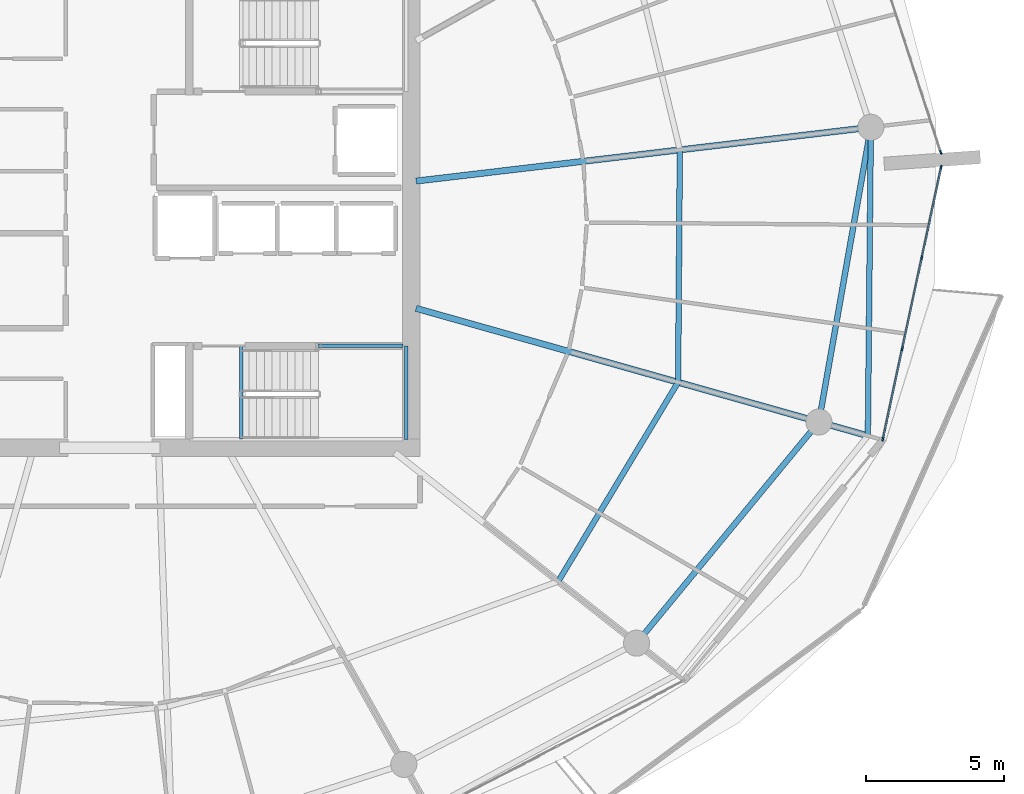
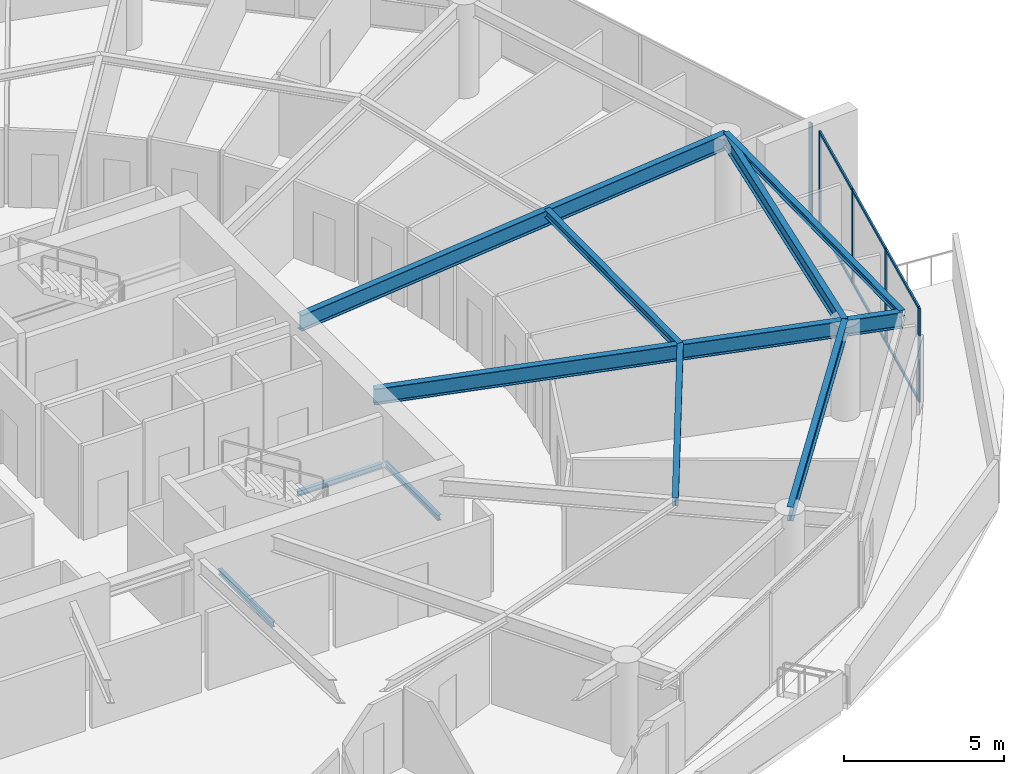
# One storey, part 11 of 31: 11 members, 10 beams, 2 elements without a shape of their own.
"""IFC4 building model written with IfcOpenShell, lengths in metres."""

import ifcopenshell
import ifcopenshell.guid

model = None  # the IFC model being written
_history = None  # IfcOwnerHistory: only IFC2X3 demands one
_inside = {}  # id of a spatial element -> (the spatial element, [elements in it])
_under = {}  # id of a project, library or spatial element -> (it, [spatial elements below it])
_declared = {}  # id of a project -> (the project, [libraries it declares])
_typed = {}  # id of a type object -> (the type object, [elements of that type])
_made_of = {}  # id of a material, layer set ... -> (it, [elements and type objects made of it])


def new_model(schema):
    """Start an empty IFC model of exactly this schema.

    Asked for "IFC4X3", IfcOpenShell would pick the latest addendum, in which some entities
    have other attributes; the version numbers below select the first issue.
    IFC2X3 requires an IfcOwnerHistory on every rooted entity: one is made here for all.
    """
    global model, _history
    if schema == "IFC4X3":
        model = ifcopenshell.file(schema_version=(4, 3, 0, 0))
    else:
        model = ifcopenshell.file(schema=schema)
    _inside.clear()
    _under.clear()
    _declared.clear()
    _typed.clear()
    _made_of.clear()
    _history = None
    if model.schema == "IFC2X3":
        org = make("IfcOrganization", Name="unknown")
        user = make(
            "IfcPersonAndOrganization",
            ThePerson=make("IfcPerson", FamilyName="unknown"),
            TheOrganization=org,
        )
        app = make(
            "IfcApplication",
            ApplicationDeveloper=org,
            Version="unknown",
            ApplicationFullName="unknown",
            ApplicationIdentifier="unknown",
        )
        _history = make(
            "IfcOwnerHistory",
            OwningUser=user,
            OwningApplication=app,
            ChangeAction="ADDED",
            CreationDate=0,
        )
    return model


def make(cls, **values):
    """One entity of the class cls with the attributes given. An attribute that is None is left unset."""
    return model.create_entity(
        cls, **{name: value for name, value in values.items() if value is not None}
    )


def rooted(cls, **values):
    """An entity with a GlobalId (a new one), such as an element, a storey or a relation."""
    return make(cls, GlobalId=ifcopenshell.guid.new(), OwnerHistory=_history, **values)


def si_unit(unit_type, name, prefix=None):
    """IfcSIUnit, for example si_unit("LENGTHUNIT", "METRE", prefix="MILLI")."""
    return make("IfcSIUnit", UnitType=unit_type, Prefix=prefix, Name=name)


def assignment(units):
    """IfcUnitAssignment: the units of a project."""
    return None if units is None else make("IfcUnitAssignment", Units=units)


def point(xyz):
    """IfcCartesianPoint."""
    return None if xyz is None else make("IfcCartesianPoint", Coordinates=xyz)


def direction(xyz):
    """IfcDirection."""
    return None if xyz is None else make("IfcDirection", DirectionRatios=xyz)


def frame(location, z_axis=None, x_axis=None):
    """IfcAxis2Placement3D, a coordinate frame: its origin and axes. An axis left out is left unset."""
    return make(
        "IfcAxis2Placement3D",
        Location=point(location),
        Axis=direction(z_axis),
        RefDirection=direction(x_axis),
    )


def frame_2d(location, x_axis=None):
    """IfcAxis2Placement2D, a coordinate frame in the plane: its origin and x axis."""
    return make(
        "IfcAxis2Placement2D", Location=point(location), RefDirection=direction(x_axis)
    )


def origin():
    """The frame at (0, 0, 0) with its axes left unset."""
    return frame((0.0, 0.0, 0.0))


def origin_2d():
    """The frame at (0, 0) in the plane with its x axis left unset."""
    return frame_2d((0.0, 0.0))


def place(relative_to, where):
    """IfcLocalPlacement: puts the frame where relative to a parent placement (None: the world)."""
    return make(
        "IfcLocalPlacement", PlacementRelTo=relative_to, RelativePlacement=where
    )


def context(
    kind, dimensions, precision=None, world=None, true_north=None, identifier=None
):
    """IfcGeometricRepresentationContext, for example the 3D "Model" context."""
    return make(
        "IfcGeometricRepresentationContext",
        ContextIdentifier=identifier,
        ContextType=kind,
        CoordinateSpaceDimension=dimensions,
        Precision=precision,
        WorldCoordinateSystem=world,
        TrueNorth=true_north,
    )


def subcontext(parent, identifier, kind, view, scale=None):
    """IfcGeometricRepresentationSubContext, for example "Body" below "Model"."""
    return make(
        "IfcGeometricRepresentationSubContext",
        ContextIdentifier=identifier,
        ContextType=kind,
        ParentContext=parent,
        TargetScale=scale,
        TargetView=view,
    )


def project(units=None, contexts=None):
    """IfcProject with its units and contexts."""
    return rooted(
        "IfcProject",
        Name="project",
        RepresentationContexts=contexts,
        UnitsInContext=assignment(units),
    )


def spatial(cls, under=None, at=None, **own):
    """A site, building, storey or space (cls), placed at a placement, below another one or the project."""
    s = rooted(cls, ObjectPlacement=at, **own)
    if under is not None:
        _under.setdefault(under.id(), (under, []))[1].append(s)
    return s


def profile(cls, at=None, kind="AREA", **sizes):
    """A parametric profile (cls). Its sizes go by their IFC names, for example OverallWidth=200.0."""
    return make(cls, ProfileType=kind, Position=at, **sizes)


def rectangle(**sizes):
    """IfcRectangleProfileDef."""
    return profile("IfcRectangleProfileDef", **sizes)


def i_section(**sizes):
    """IfcIShapeProfileDef."""
    return profile("IfcIShapeProfileDef", **sizes)


def extrude(swept, where, along, depth):
    """IfcExtrudedAreaSolid: the profile swept, set in the frame where, extruded along a direction by depth."""
    return make(
        "IfcExtrudedAreaSolid",
        SweptArea=swept,
        Position=where,
        ExtrudedDirection=direction(along),
        Depth=depth,
    )


def shape(context_of_items, identifier, shape_type, items):
    """IfcShapeRepresentation: the items that make up one representation, for example the "Body"."""
    return make(
        "IfcShapeRepresentation",
        ContextOfItems=context_of_items,
        RepresentationIdentifier=identifier,
        RepresentationType=shape_type,
        Items=items,
    )


def material(Name=None, Category=None):
    """IfcMaterial."""
    return make("IfcMaterial", Name=Name, Category=Category)


def layer(
    of_material, thickness, ventilated=None, Name=None, Category=None, Priority=None
):
    """IfcMaterialLayer: one layer of a wall or slab, of a material (None: an air gap)."""
    return make(
        "IfcMaterialLayer",
        Material=of_material,
        LayerThickness=thickness,
        IsVentilated=ventilated,
        Name=Name,
        Category=Category,
        Priority=Priority,
    )


def layer_set(layers, Name=None):
    """IfcMaterialLayerSet."""
    return make("IfcMaterialLayerSet", MaterialLayers=layers, LayerSetName=Name)


def material_profile(
    of_material, cross_section, Name=None, Category=None, Priority=None
):
    """IfcMaterialProfile: a cross section and its material."""
    return make(
        "IfcMaterialProfile",
        Name=Name,
        Material=of_material,
        Profile=cross_section,
        Priority=Priority,
        Category=Category,
    )


def profile_set(profiles, Name=None, composite=None):
    """IfcMaterialProfileSet."""
    return make(
        "IfcMaterialProfileSet",
        Name=Name,
        MaterialProfiles=profiles,
        CompositeProfile=composite,
    )


def made_of(thing, what):
    """Note that an element or type object is made of a material, layer set ...; save() writes the relation."""
    if what is not None:
        _made_of.setdefault(what.id(), (what, []))[1].append(thing)
    return thing


def type_object(cls, material=None, **own):
    """A type object (cls), such as IfcWallType, which elements share."""
    return made_of(rooted(cls, **own), material)


def element(
    cls,
    number,
    at=None,
    inside=None,
    cuts=None,
    type_object=None,
    material=None,
    context=None,
    identifier="Body",
    shape_type=None,
    held_by="IfcProductDefinitionShape",
    body=None,
    shapes=None,
    **own,
):
    """One element of the class cls, such as IfcWall. Its Tag is "e" and its number.

    at: its placement. inside: the storey or other place that contains it. cuts: it is an
    opening in that element (IfcRelVoidsElement). A single representation is given by context,
    identifier, shape_type and body (its items); several are given by shapes. held_by: the class
    of the entity that holds the representations. save() writes the other relations.
    """
    e = rooted(cls, Tag="e%d" % number, ObjectPlacement=at, **own)
    if body is not None:
        shapes = [shape(context, identifier, shape_type, body)]
    if shapes is not None:
        e.Representation = make(held_by, Representations=shapes)
    if inside is not None:
        _inside.setdefault(inside.id(), (inside, []))[1].append(e)
    if cuts is not None:
        rooted(
            "IfcRelVoidsElement", RelatingBuildingElement=cuts, RelatedOpeningElement=e
        )
    if type_object is not None:
        _typed.setdefault(type_object.id(), (type_object, []))[1].append(e)
    return made_of(e, material)


def aggregate(whole, parts):
    """IfcRelAggregates: a whole, such as a stair, and the parts it consists of."""
    return rooted("IfcRelAggregates", RelatingObject=whole, RelatedObjects=parts)


def save(model, path):
    """Write the relations noted so far, then the file.

    IfcRelAggregates (storeys below a building ...), IfcRelContainedInSpatialStructure (elements
    in a storey), IfcRelDefinesByType, IfcRelAssociatesMaterial and IfcRelDeclares: one each for
    every whole, place, type object, material and project.
    """
    for whole, parts in _under.values():
        aggregate(whole, parts)
    for where, things in _inside.values():
        rooted(
            "IfcRelContainedInSpatialStructure",
            RelatedElements=things,
            RelatingStructure=where,
        )
    for kind, things in _typed.values():
        rooted("IfcRelDefinesByType", RelatedObjects=things, RelatingType=kind)
    for what, things in _made_of.values():
        rooted("IfcRelAssociatesMaterial", RelatedObjects=things, RelatingMaterial=what)
    for by, libraries in _declared.values():
        rooted("IfcRelDeclares", RelatingContext=by, RelatedDefinitions=libraries)
    model.write(path)


model = new_model("IFC4")

# Units and contexts
model_context = context("Model", 3, precision=1e-05, world=origin(), true_north=direction((0.0, 1.0)))
body_context = subcontext(model_context, "Body", "Model", "MODEL_VIEW")
ifc_project = project(units=[si_unit("LENGTHUNIT", "METRE"), si_unit("AREAUNIT", "SQUARE_METRE"), si_unit("VOLUMEUNIT", "CUBIC_METRE"), si_unit("PLANEANGLEUNIT", "RADIAN"), si_unit("MASSUNIT", "GRAM", prefix="KILO")], contexts=[model_context])

# Site, building, storey
site_placement = place(None, origin())
site = spatial("IfcSite", under=ifc_project, at=site_placement, CompositionType="ELEMENT")
building_placement = place(site_placement, origin())
building = spatial("IfcBuilding", under=site, at=building_placement, Name="Kazma Halo Residences", CompositionType="ELEMENT")
storey_placement = place(building_placement, frame((0.0, 0.0, 248.25)))
storey = spatial("IfcBuildingStorey", under=building, at=storey_placement, Name="L62", CompositionType="ELEMENT", Elevation=248.25)

# Beams
ifc_material_1 = material(Name="Steel S355", Category="steel")
ifc_material_profile_1 = material_profile(ifc_material_1, i_section(OverallWidth=0.201904296875, OverallDepth=0.2470703125, WebThickness=0.00732421875, FlangeThickness=0.010986328125, FilletRadius=0.011962890625, at=origin_2d()), Name="W250x49.1")
ifc_profile_set_1 = profile_set([ifc_material_profile_1], Name="Steel S355")
beam_type_1 = type_object("IfcBeamType", Name="BM-BAL-CANT", PredefinedType="BEAM", material=ifc_profile_set_1)
beam_1_placement = place(storey_placement, frame((75.971435546875, 34.111083984375, 3.466552734375), z_axis=(0.009645503464, 0.999953481049, 0.0), x_axis=(-0.999953481049, 0.009645503464, 0.0)))
element("IfcBeam", 1, at=beam_1_placement, inside=storey, type_object=beam_type_1, Name="L62 wave-balcony tie beam 15", PredefinedType="BEAM", context=body_context, shape_type="SweptSolid", body=[
    extrude(i_section(OverallWidth=0.201904296875, OverallDepth=0.2470703125, WebThickness=0.00732421875, FlangeThickness=0.010986328125, FilletRadius=0.011962890625, at=origin_2d()), origin(), (0.0, 0.0, 1.0), 11.212890625),
])
ifc_material_profile_2 = material_profile(ifc_material_1, i_section(OverallWidth=0.22802734375, OverallDepth=0.60791015625, WebThickness=0.01123046875, FlangeThickness=0.017333984375, FilletRadius=0.01806640625, at=origin_2d()), Name="W610x113")
ifc_profile_set_2 = profile_set([ifc_material_profile_2], Name="Steel S355")
beam_type_2 = type_object("IfcBeamType", Name="BM-RAD-W610", PredefinedType="BEAM", material=ifc_profile_set_2)
beam_2_placement = place(storey_placement, frame((59.550048828125, 38.74267578125, 3.285888671875), z_axis=(0.96245092213, -0.271455746837, 0.0), x_axis=(0.271455746837, 0.96245092213, 0.0)))
element("IfcBeam", 2, at=beam_2_placement, inside=storey, type_object=beam_type_2, Name="L62 radial floor beam 15", PredefinedType="BEAM", context=body_context, shape_type="SweptSolid", body=[
    extrude(i_section(OverallWidth=0.22802734375, OverallDepth=0.60791015625, WebThickness=0.01123046875, FlangeThickness=0.017333984375, FilletRadius=0.01806640625, at=origin_2d()), origin(), (0.0, 0.0, 1.0), 17.06201171875),
])
beam_3_placement = place(storey_placement, frame((59.550048828125, 43.366943359375, 3.285888671875), z_axis=(0.993067455077, 0.117545861975, 0.0), x_axis=(-0.117545861975, 0.993067455077, 0.0)))
element("IfcBeam", 3, at=beam_3_placement, inside=storey, type_object=beam_type_2, Name="L62 radial floor beam 16", PredefinedType="BEAM", context=body_context, shape_type="SweptSolid", body=[
    extrude(i_section(OverallWidth=0.22802734375, OverallDepth=0.60791015625, WebThickness=0.01123046875, FlangeThickness=0.017333984375, FilletRadius=0.01806640625, at=origin_2d()), origin(), (0.0, 0.0, 1.0), 16.64501953125),
])
ifc_material_profile_3 = material_profile(ifc_material_1, i_section(OverallWidth=0.202880859375, OverallDepth=0.302978515625, WebThickness=0.007568359375, FlangeThickness=0.01318359375, FilletRadius=0.013916015625, at=origin_2d()), Name="W310x60")
ifc_profile_set_3 = profile_set([ifc_material_profile_3], Name="Steel S355")
beam_type_3 = type_object("IfcBeamType", Name="BM-SEC-W310A", PredefinedType="JOIST", material=ifc_profile_set_3)
beam_4_placement = place(storey_placement, frame((64.719482421875, 28.8193359375, 3.4384765625), z_axis=(0.515604761061, 0.856826546257, 0.0), x_axis=(-0.856826546257, 0.515604761061, 0.0)))
element("IfcBeam", 4, at=beam_4_placement, inside=storey, type_object=beam_type_3, Name="L62 circumferential floor joist 14", PredefinedType="JOIST", context=body_context, shape_type="SweptSolid", body=[
    extrude(i_section(OverallWidth=0.202880859375, OverallDepth=0.302978515625, WebThickness=0.007568359375, FlangeThickness=0.01318359375, FilletRadius=0.013916015625, at=origin_2d()), origin(), (0.0, 0.0, 1.0), 8.4462890625),
])
beam_5_placement = place(storey_placement, frame((69.074462890625, 36.056396484375, 3.4384765625), z_axis=(0.007429258426, 0.999972402679, 0.0), x_axis=(-0.999972402679, 0.007429258426, 0.0)))
element("IfcBeam", 5, at=beam_5_placement, inside=storey, type_object=beam_type_3, Name="L62 circumferential floor joist 15", PredefinedType="JOIST", context=body_context, shape_type="SweptSolid", body=[
    extrude(i_section(OverallWidth=0.202880859375, OverallDepth=0.302978515625, WebThickness=0.007568359375, FlangeThickness=0.01318359375, FilletRadius=0.013916015625, at=origin_2d()), origin(), (0.0, 0.0, 1.0), 8.445556640625),
])
ifc_material_profile_4 = material_profile(ifc_material_1, i_section(OverallWidth=0.208984375, OverallDepth=0.532958984375, WebThickness=0.01025390625, FlangeThickness=0.015625, FilletRadius=0.01611328125, at=origin_2d()), Name="W530x92")
ifc_profile_set_4 = profile_set([ifc_material_profile_4], Name="Steel S355")
beam_type_4 = type_object("IfcBeamType", Name="BM-SPN-W530", PredefinedType="BEAM", material=ifc_profile_set_4)
beam_6_placement = place(storey_placement, frame((67.566162109375, 26.5751953125, 3.323486328125), z_axis=(0.636002144225, 0.771687289348, 0.0), x_axis=(-0.771687289348, 0.636002144225, 0.0)))
element("IfcBeam", 6, at=beam_6_placement, inside=storey, type_object=beam_type_4, Name="L62 perimeter ring beam 14", PredefinedType="BEAM", context=body_context, shape_type="SweptSolid", body=[
    extrude(i_section(OverallWidth=0.208984375, OverallDepth=0.532958984375, WebThickness=0.01025390625, FlangeThickness=0.015625, FilletRadius=0.01611328125, at=origin_2d()), origin(), (0.0, 0.0, 1.0), 10.416259765625),
])
beam_7_placement = place(storey_placement, frame((74.19091796875, 34.61328125, 3.323486328125), z_axis=(0.173663672311, 0.984805020763, 0.0), x_axis=(-0.984805020763, 0.173663672311, 0.0)))
element("IfcBeam", 7, at=beam_7_placement, inside=storey, type_object=beam_type_4, Name="L62 perimeter ring beam 15", PredefinedType="BEAM", context=body_context, shape_type="SweptSolid", body=[
    extrude(i_section(OverallWidth=0.208984375, OverallDepth=0.532958984375, WebThickness=0.01025390625, FlangeThickness=0.015625, FilletRadius=0.01611328125, at=origin_2d()), origin(), (0.0, 0.0, 1.0), 10.87548828125),
])
ifc_material_profile_5 = material_profile(ifc_material_1, i_section(OverallWidth=0.133056640625, OverallDepth=0.20703125, WebThickness=0.005859375, FlangeThickness=0.00830078125, FilletRadius=0.010009765625, at=origin_2d()), Name="W200x26.6")
ifc_profile_set_5 = profile_set([ifc_material_profile_5], Name="Steel S355")
beam_type_5 = type_object("IfcBeamType", Name="BM-TRIM-W200", PredefinedType="BEAM", material=ifc_profile_set_5)
beam_8_placement = place(storey_placement, frame((53.199951171875, 34.0, -0.3701171875), z_axis=(0.0, 1.0, 0.0), x_axis=(-1.0, 0.0, 0.0)))
element("IfcBeam", 8, at=beam_8_placement, inside=storey, type_object=beam_type_5, Name="L62 ST-03 floor landing support beam", PredefinedType="BEAM", context=body_context, shape_type="SweptSolid", body=[
    extrude(i_section(OverallWidth=0.133056640625, OverallDepth=0.20703125, WebThickness=0.005859375, FlangeThickness=0.00830078125, FilletRadius=0.010009765625, at=origin_2d()), origin(), (0.0, 0.0, 1.0), 3.3798828125),
])
beam_9_placement = place(storey_placement, frame((56.0, 37.3798828125, 1.6201171875), z_axis=(1.0, 0.0, 0.0), x_axis=(0.0, 1.0, 0.0)))
element("IfcBeam", 9, at=beam_9_placement, inside=storey, type_object=beam_type_5, Name="L62 ST-03 landing north wall ledger", PredefinedType="BEAM", context=body_context, shape_type="SweptSolid", body=[
    extrude(i_section(OverallWidth=0.133056640625, OverallDepth=0.20703125, WebThickness=0.005859375, FlangeThickness=0.00830078125, FilletRadius=0.010009765625, at=origin_2d()), origin(), (0.0, 0.0, 1.0), 3.070068359375),
])
beam_10_placement = place(storey_placement, frame((59.18994140625, 33.97998046875, 1.6201171875), z_axis=(0.0, 1.0, 0.0), x_axis=(-1.0, 0.0, 0.0)))
element("IfcBeam", 10, at=beam_10_placement, inside=storey, type_object=beam_type_5, Name="L62 ST-03 landing end wall ledger", PredefinedType="BEAM", context=body_context, shape_type="SweptSolid", body=[
    extrude(i_section(OverallWidth=0.133056640625, OverallDepth=0.20703125, WebThickness=0.005859375, FlangeThickness=0.00830078125, FilletRadius=0.010009765625, at=origin_2d()), origin(), (0.0, 0.0, 1.0), 3.39990234375),
])

# Curtain wall, members
ifc_material_2 = material(Name="Aluminium AW-6063 T6 and Triple-Silver Low-E Glass", Category="aluminium")
ifc_layer = layer(ifc_material_2, 0.139892578125)
ifc_layer_set = layer_set([ifc_layer], Name="Aluminium AW-6063 T6 and Triple-Silver Low-E Glass")
curtain_wall_type = type_object("IfcCurtainWallType", Name="CW-SYS-5", PredefinedType="NOTDEFINED", material=ifc_layer_set)
curtain_wall_1_placement = place(storey_placement, origin())
curtain_wall_1 = element("IfcCurtainWall", 11, at=curtain_wall_1_placement, inside=storey, type_object=curtain_wall_type, Name="L62 unitised curtain wall B15", PredefinedType="NOTDEFINED")
ifc_material_3 = material(Name="Aluminium AW-6063 T6", Category="aluminium")
ifc_material_profile_6 = material_profile(ifc_material_3, rectangle(XDim=0.06005859375, YDim=0.139892578125, at=origin_2d()), Name="CWM-60x140")
ifc_profile_set_6 = profile_set([ifc_material_profile_6], Name="Aluminium AW-6063 T6")
member_type_1 = type_object("IfcMemberType", Name="CW-SYS-5-MUL", PredefinedType="MULLION", material=ifc_profile_set_6)
member_1_placement = place(storey_placement, frame((76.514892578125, 33.989013671875, 0.0), z_axis=(0.0, 0.0, 1.0), x_axis=(-0.97777491373, 0.209657382603, 0.0)))
member_1 = element("IfcMember", 12, at=member_1_placement, type_object=member_type_1, Name="CWS-5 mullion 1", PredefinedType="MULLION", context=body_context, shape_type="SweptSolid", body=[
    extrude(rectangle(XDim=0.06005859375, YDim=0.139892578125, at=origin_2d()), origin(), (0.0, 0.0, 1.0), 3.590087890625),
])
member_2_placement = place(storey_placement, frame((77.218994140625, 37.2734375, 0.0), z_axis=(0.0, 0.0, 1.0), x_axis=(-0.97777491373, 0.209657382603, 0.0)))
member_2 = element("IfcMember", 13, at=member_2_placement, type_object=member_type_1, Name="CWS-5 mullion 2", PredefinedType="MULLION", context=body_context, shape_type="SweptSolid", body=[
    extrude(rectangle(XDim=0.06005859375, YDim=0.139892578125, at=origin_2d()), origin(), (0.0, 0.0, 1.0), 3.590087890625),
])
member_3_placement = place(storey_placement, frame((77.9296875, 40.587158203125, 0.0), z_axis=(0.0, 0.0, 1.0), x_axis=(-0.97777491373, 0.209657382603, 0.0)))
member_3 = element("IfcMember", 14, at=member_3_placement, type_object=member_type_1, Name="CWS-5 mullion 3", PredefinedType="MULLION", context=body_context, shape_type="SweptSolid", body=[
    extrude(rectangle(XDim=0.06005859375, YDim=0.139892578125, at=origin_2d()), origin(), (0.0, 0.0, 1.0), 3.590087890625),
])
member_4_placement = place(storey_placement, frame((78.6337890625, 43.87158203125, 0.0), z_axis=(0.0, 0.0, 1.0), x_axis=(-0.97777491373, 0.209657382603, 0.0)))
member_4 = element("IfcMember", 15, at=member_4_placement, type_object=member_type_1, Name="CWS-5 mullion 4", PredefinedType="MULLION", context=body_context, shape_type="SweptSolid", body=[
    extrude(rectangle(XDim=0.06005859375, YDim=0.139892578125, at=origin_2d()), origin(), (0.0, 0.0, 1.0), 3.590087890625),
])

# Curtain wall, member
curtain_wall_2_placement = place(storey_placement, origin())
curtain_wall_2 = element("IfcCurtainWall", 16, at=curtain_wall_2_placement, inside=storey, type_object=curtain_wall_type, Name="L62 unitised curtain wall B16", PredefinedType="NOTDEFINED")
member_5_placement = place(storey_placement, frame((78.622802734375, 44.412353515625, 0.0), z_axis=(0.0, 0.0, 1.0), x_axis=(-0.951058464359, -0.309010998786, 0.0)))
member_5 = element("IfcMember", 17, at=member_5_placement, type_object=member_type_1, Name="CWS-5 mullion 1", PredefinedType="MULLION", context=body_context, shape_type="SweptSolid", body=[
    extrude(rectangle(XDim=0.06005859375, YDim=0.139892578125, at=origin_2d()), origin(), (0.0, 0.0, 1.0), 3.590087890625),
])
aggregate(curtain_wall_2, [member_5])

# Member
ifc_material_profile_7 = material_profile(ifc_material_3, rectangle(XDim=0.06005859375, YDim=0.10498046875, at=origin_2d()), Name="CWT-60x105")
ifc_profile_set_7 = profile_set([ifc_material_profile_7], Name="Aluminium AW-6063 T6")
member_type_2 = type_object("IfcMemberType", Name="CW-SYS-5-TRN", PredefinedType="USERDEFINED", material=ifc_profile_set_7)
member_6_placement = place(storey_placement, frame((76.52099609375, 34.0185546875, 0.030029296875), z_axis=(0.209660493552, 0.977774246666, 0.0), x_axis=(-0.977774246666, 0.209660493552, 0.0)))
member_6 = element("IfcMember", 18, at=member_6_placement, type_object=member_type_2, Name="CWS-5 transom 1.1", ObjectType="TRANSOM", PredefinedType="USERDEFINED", context=body_context, shape_type="SweptSolid", body=[
    extrude(rectangle(XDim=0.06005859375, YDim=0.10498046875, at=origin_2d()), origin(), (0.0, 0.0, 1.0), 3.298828125),
])

member_7_placement = place(storey_placement, frame((76.52099609375, 34.0185546875, 3.56005859375), z_axis=(0.209660493552, 0.977774246666, 0.0), x_axis=(-0.977774246666, 0.209660493552, 0.0)))
member_7 = element("IfcMember", 19, at=member_7_placement, type_object=member_type_2, Name="CWS-5 transom 1.2", ObjectType="TRANSOM", PredefinedType="USERDEFINED", context=body_context, shape_type="SweptSolid", body=[
    extrude(rectangle(XDim=0.06005859375, YDim=0.10498046875, at=origin_2d()), origin(), (0.0, 0.0, 1.0), 3.298828125),
])

member_8_placement = place(storey_placement, frame((77.225341796875, 37.302734375, 0.030029296875), z_axis=(0.209664309019, 0.977773428522, 0.0), x_axis=(-0.977773428522, 0.209664309019, 0.0)))
member_8 = element("IfcMember", 20, at=member_8_placement, type_object=member_type_2, Name="CWS-5 transom 2.1", ObjectType="TRANSOM", PredefinedType="USERDEFINED", context=body_context, shape_type="SweptSolid", body=[
    extrude(rectangle(XDim=0.06005859375, YDim=0.10498046875, at=origin_2d()), origin(), (0.0, 0.0, 1.0), 3.3291015625),
])

member_9_placement = place(storey_placement, frame((77.225341796875, 37.302734375, 3.56005859375), z_axis=(0.209664309019, 0.977773428522, 0.0), x_axis=(-0.977773428522, 0.209664309019, 0.0)))
member_9 = element("IfcMember", 21, at=member_9_placement, type_object=member_type_2, Name="CWS-5 transom 2.2", ObjectType="TRANSOM", PredefinedType="USERDEFINED", context=body_context, shape_type="SweptSolid", body=[
    extrude(rectangle(XDim=0.06005859375, YDim=0.10498046875, at=origin_2d()), origin(), (0.0, 0.0, 1.0), 3.3291015625),
])

member_10_placement = place(storey_placement, frame((77.935791015625, 40.616455078125, 0.030029296875), z_axis=(0.209645323239, 0.977777499457, 0.0), x_axis=(-0.977777499457, 0.209645323239, 0.0)))
member_10 = element("IfcMember", 22, at=member_10_placement, type_object=member_type_2, Name="CWS-5 transom 3.1", ObjectType="TRANSOM", PredefinedType="USERDEFINED", context=body_context, shape_type="SweptSolid", body=[
    extrude(rectangle(XDim=0.06005859375, YDim=0.10498046875, at=origin_2d()), origin(), (0.0, 0.0, 1.0), 3.299072265625),
])

member_11_placement = place(storey_placement, frame((77.935791015625, 40.616455078125, 3.56005859375), z_axis=(0.209645323239, 0.977777499457, 0.0), x_axis=(-0.977777499457, 0.209645323239, 0.0)))
member_11 = element("IfcMember", 23, at=member_11_placement, type_object=member_type_2, Name="CWS-5 transom 3.2", ObjectType="TRANSOM", PredefinedType="USERDEFINED", context=body_context, shape_type="SweptSolid", body=[
    extrude(rectangle(XDim=0.06005859375, YDim=0.10498046875, at=origin_2d()), origin(), (0.0, 0.0, 1.0), 3.299072265625),
])

aggregate(curtain_wall_1, [member_1, member_2, member_3, member_4, member_6, member_7, member_8, member_9, member_10, member_11])

save(model, "model.ifc")
